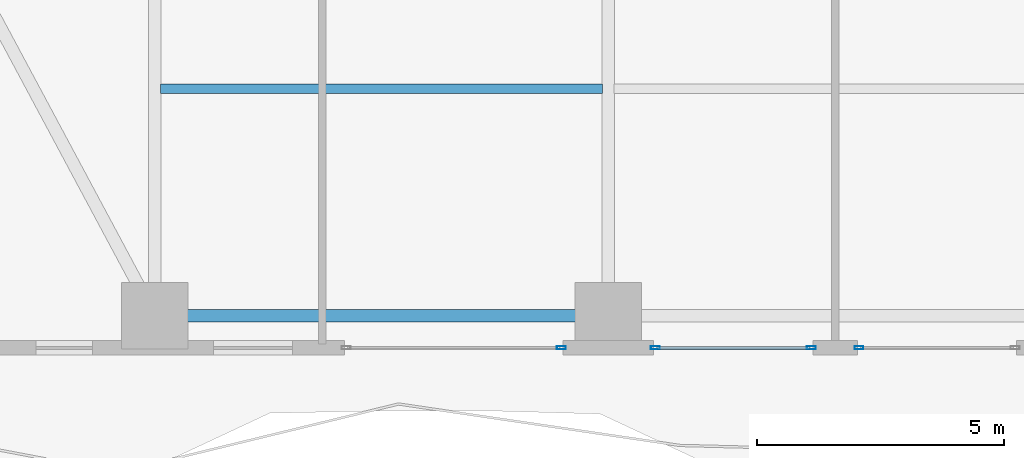
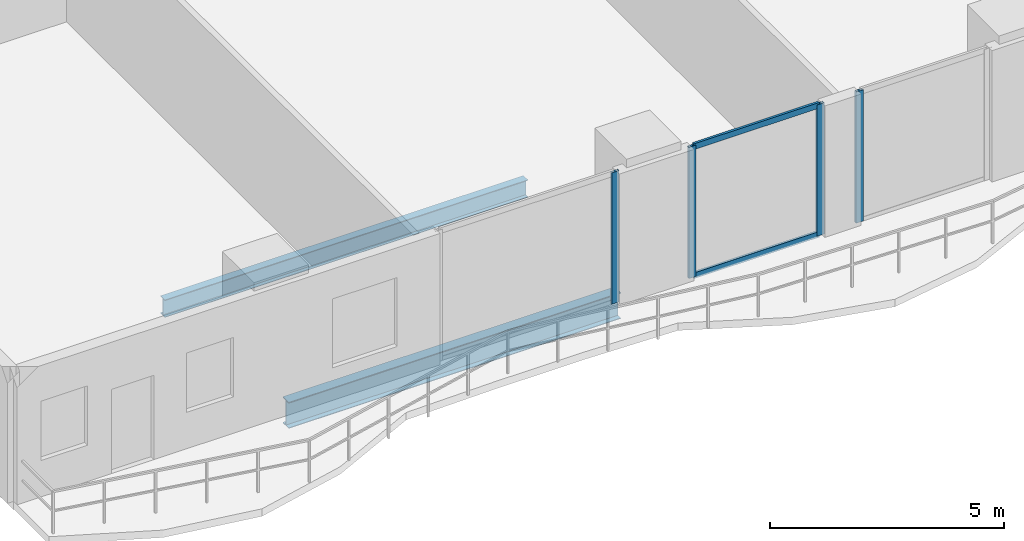
# One storey, part 4 of 30: 6 members, 2 beams, 3 elements without a shape of their own.
"""IFC4 building model written with IfcOpenShell, lengths in metres."""

from ifc_helpers import new_model, si_unit, direction, frame, origin, origin_2d, place, context, subcontext, project, spatial, hollow_rectangle, i_section, extrude, material, layer, layer_set, material_profile, profile_set, type_object, element, aggregate, save


model = new_model("IFC4")

# Units and contexts
model_context = context("Model", 3, precision=1e-05, world=origin(), true_north=direction((0.0, 1.0)))
body_context = subcontext(model_context, "Body", "Model", "MODEL_VIEW")
ifc_project = project(units=[si_unit("LENGTHUNIT", "METRE"), si_unit("AREAUNIT", "SQUARE_METRE"), si_unit("VOLUMEUNIT", "CUBIC_METRE"), si_unit("PLANEANGLEUNIT", "RADIAN"), si_unit("MASSUNIT", "GRAM", prefix="KILO")], contexts=[model_context])

# Site, building, storey
site_placement = place(None, origin())
site = spatial("IfcSite", under=ifc_project, at=site_placement, CompositionType="ELEMENT")
building_placement = place(site_placement, origin())
building = spatial("IfcBuilding", under=site, at=building_placement, Name="Zuhayl Quay Hotel", CompositionType="ELEMENT")
storey_placement = place(building_placement, frame((0.0, 0.0, 128.5)))
storey = spatial("IfcBuildingStorey", under=building, at=storey_placement, Name="L32", CompositionType="ELEMENT", Elevation=128.5)

# Beams
ifc_material_1 = material(Name="Steel ASTM A992 Grade 50", Category="steel")
ifc_material_profile_1 = material_profile(ifc_material_1, i_section(OverallWidth=0.25390625, OverallDepth=0.68310546875, WebThickness=0.012451171875, FlangeThickness=0.018798828125, at=origin_2d()), Name="W27X94")
ifc_profile_set_1 = profile_set([ifc_material_profile_1], Name="Steel ASTM A992 Grade 50")
beam_type_1 = type_object("IfcBeamType", Name="BM_B2_W27X94", PredefinedType="BEAM", material=ifc_profile_set_1)
beam_1_placement = place(storey_placement, frame((-13.300048828125, -14.75, -0.5615234375), z_axis=(1.0, 0.0, 0.0), x_axis=(0.0, 1.0, 0.0)))
element("IfcBeam", 1, at=beam_1_placement, inside=storey, type_object=beam_type_1, Name="L32 Floor Beam RG_L32_01", PredefinedType="BEAM", context=body_context, shape_type="SweptSolid", body=[
    extrude(i_section(OverallWidth=0.25390625, OverallDepth=0.68310546875, WebThickness=0.012451171875, FlangeThickness=0.018798828125, at=origin_2d()), origin(), (0.0, 0.0, 1.0), 8.199951171875),
])
ifc_material_profile_2 = material_profile(ifc_material_1, i_section(OverallWidth=0.18994140625, OverallDepth=0.45703125, WebThickness=0.009033203125, FlangeThickness=0.014404296875, at=origin_2d()), Name="W18X50")
ifc_profile_set_2 = profile_set([ifc_material_profile_2], Name="Steel ASTM A992 Grade 50")
beam_type_2 = type_object("IfcBeamType", Name="BM_J2_W18X50", PredefinedType="JOIST", material=ifc_profile_set_2)
beam_2_placement = place(storey_placement, frame((-13.680908203125, -10.14990234375, -0.448486328125), z_axis=(1.0, 0.0, 0.0), x_axis=(0.0, 1.0, 0.0)))
element("IfcBeam", 2, at=beam_2_placement, inside=storey, type_object=beam_type_2, Name="L32 Floor Beam FJ_L32_5_1", PredefinedType="JOIST", context=body_context, shape_type="SweptSolid", body=[
    extrude(i_section(OverallWidth=0.18994140625, OverallDepth=0.45703125, WebThickness=0.009033203125, FlangeThickness=0.014404296875, at=origin_2d()), origin(), (0.0, 0.0, 1.0), 8.9619140625),
])

# Curtain wall, member
ifc_material_2 = material(Name="Anodised Aluminium 6063-T6", Category="aluminium")
ifc_layer = layer(ifc_material_2, 0.179931640625, Name="Anodised Aluminium 6063-T6", Category="aluminium")
ifc_layer_set = layer_set([ifc_layer], Name="Anodised Aluminium 6063-T6")
curtain_wall_type = type_object("IfcCurtainWallType", Name="CW_SYS_Z2", PredefinedType="USERDEFINED", material=ifc_layer_set)
curtain_wall_1_placement = place(storey_placement, origin())
curtain_wall_1 = element("IfcCurtainWall", 3, at=curtain_wall_1_placement, inside=storey, type_object=curtain_wall_type, Name="L32 Curtain Wall ENV_L32_S_CW3", ObjectType="UNITISED CURTAIN WALL", PredefinedType="USERDEFINED")
ifc_material_3 = material(Name="Black-anodised aluminium 6063-T6", Category="aluminium")
ifc_material_profile_3 = material_profile(ifc_material_3, hollow_rectangle(XDim=0.06494140625, YDim=0.179931640625, WallThickness=0.00341796875, at=origin_2d()), Name="ALU180X65")
ifc_profile_set_3 = profile_set([ifc_material_profile_3], Name="Black-anodised aluminium 6063-T6")
member_type_1 = type_object("IfcMemberType", Name="MB_CW_MUL_180", PredefinedType="MULLION", material=ifc_profile_set_3)
member_1_placement = place(storey_placement, frame((0.482421875, -15.39990234375, 0.0), z_axis=(0.0, 0.0, 1.0), x_axis=(0.0, -1.0, 0.0)))
member_1 = element("IfcMember", 4, at=member_1_placement, type_object=member_type_1, Name="CW-Z2 mullion 2", PredefinedType="MULLION", context=body_context, shape_type="SweptSolid", body=[
    extrude(hollow_rectangle(XDim=0.06494140625, YDim=0.179931640625, WallThickness=0.00341796875, at=origin_2d()), origin(), (0.0, 0.0, 1.0), 3.429931640625),
])
aggregate(curtain_wall_1, [member_1])

# Curtain wall, members
curtain_wall_2_placement = place(storey_placement, origin())
curtain_wall_2 = element("IfcCurtainWall", 5, at=curtain_wall_2_placement, inside=storey, type_object=curtain_wall_type, Name="L32 Curtain Wall ENV_L32_S_CW4", ObjectType="UNITISED CURTAIN WALL", PredefinedType="USERDEFINED")
member_2_placement = place(storey_placement, frame((-0.482421875, -15.39990234375, 0.0), z_axis=(0.0, 0.0, 1.0), x_axis=(0.0, -1.0, 0.0)))
member_2 = element("IfcMember", 6, at=member_2_placement, type_object=member_type_1, Name="CW-Z2 mullion 1", PredefinedType="MULLION", context=body_context, shape_type="SweptSolid", body=[
    extrude(hollow_rectangle(XDim=0.06494140625, YDim=0.179931640625, WallThickness=0.00341796875, at=origin_2d()), origin(), (0.0, 0.0, 1.0), 3.429931640625),
])
member_3_placement = place(storey_placement, frame((-3.6474609375, -15.39990234375, 0.0), z_axis=(0.0, 0.0, 1.0), x_axis=(0.0, -1.0, 0.0)))
member_3 = element("IfcMember", 7, at=member_3_placement, type_object=member_type_1, Name="CW-Z2 mullion 2", PredefinedType="MULLION", context=body_context, shape_type="SweptSolid", body=[
    extrude(hollow_rectangle(XDim=0.06494140625, YDim=0.179931640625, WallThickness=0.00341796875, at=origin_2d()), origin(), (0.0, 0.0, 1.0), 3.429931640625),
])

# Curtain wall, member
curtain_wall_3_placement = place(storey_placement, origin())
curtain_wall_3 = element("IfcCurtainWall", 8, at=curtain_wall_3_placement, inside=storey, type_object=curtain_wall_type, Name="L32 Curtain Wall ENV_L32_S_CW5", ObjectType="UNITISED CURTAIN WALL", PredefinedType="USERDEFINED")
member_4_placement = place(storey_placement, frame((-5.552490234375, -15.39990234375, 0.0), z_axis=(0.0, 0.0, 1.0), x_axis=(0.0, -1.0, 0.0)))
member_4 = element("IfcMember", 9, at=member_4_placement, type_object=member_type_1, Name="CW-Z2 mullion 1", PredefinedType="MULLION", context=body_context, shape_type="SweptSolid", body=[
    extrude(hollow_rectangle(XDim=0.06494140625, YDim=0.179931640625, WallThickness=0.00341796875, at=origin_2d()), origin(), (0.0, 0.0, 1.0), 3.429931640625),
])
aggregate(curtain_wall_3, [member_4])

# Member
ifc_material_profile_4 = material_profile(ifc_material_3, hollow_rectangle(XDim=0.06005859375, YDim=0.14990234375, WallThickness=0.00341796875, at=origin_2d()), Name="ALU150X60")
ifc_profile_set_4 = profile_set([ifc_material_profile_4], Name="Black-anodised aluminium 6063-T6")
member_type_2 = type_object("IfcMemberType", Name="MB_CW_TRN_150", PredefinedType="USERDEFINED", material=ifc_profile_set_4)
member_5_placement = place(storey_placement, frame((-0.514892578125, -15.39990234375, 0.030029296875), z_axis=(-1.0, 0.0, 0.0), x_axis=(0.0, -1.0, 0.0)))
member_5 = element("IfcMember", 10, at=member_5_placement, type_object=member_type_2, Name="CW-Z2 transom 1.1", ObjectType="TRANSOM", PredefinedType="USERDEFINED", context=body_context, shape_type="SweptSolid", body=[
    extrude(hollow_rectangle(XDim=0.06005859375, YDim=0.14990234375, WallThickness=0.00341796875, at=origin_2d()), origin(), (0.0, 0.0, 1.0), 3.10009765625),
])

member_6_placement = place(storey_placement, frame((-0.514892578125, -15.39990234375, 3.39990234375), z_axis=(-1.0, 0.0, 0.0), x_axis=(0.0, -1.0, 0.0)))
member_6 = element("IfcMember", 11, at=member_6_placement, type_object=member_type_2, Name="CW-Z2 transom 1.2", ObjectType="TRANSOM", PredefinedType="USERDEFINED", context=body_context, shape_type="SweptSolid", body=[
    extrude(hollow_rectangle(XDim=0.06005859375, YDim=0.14990234375, WallThickness=0.00341796875, at=origin_2d()), origin(), (0.0, 0.0, 1.0), 3.10009765625),
])

aggregate(curtain_wall_2, [member_2, member_3, member_5, member_6])

save(model, "model.ifc")
